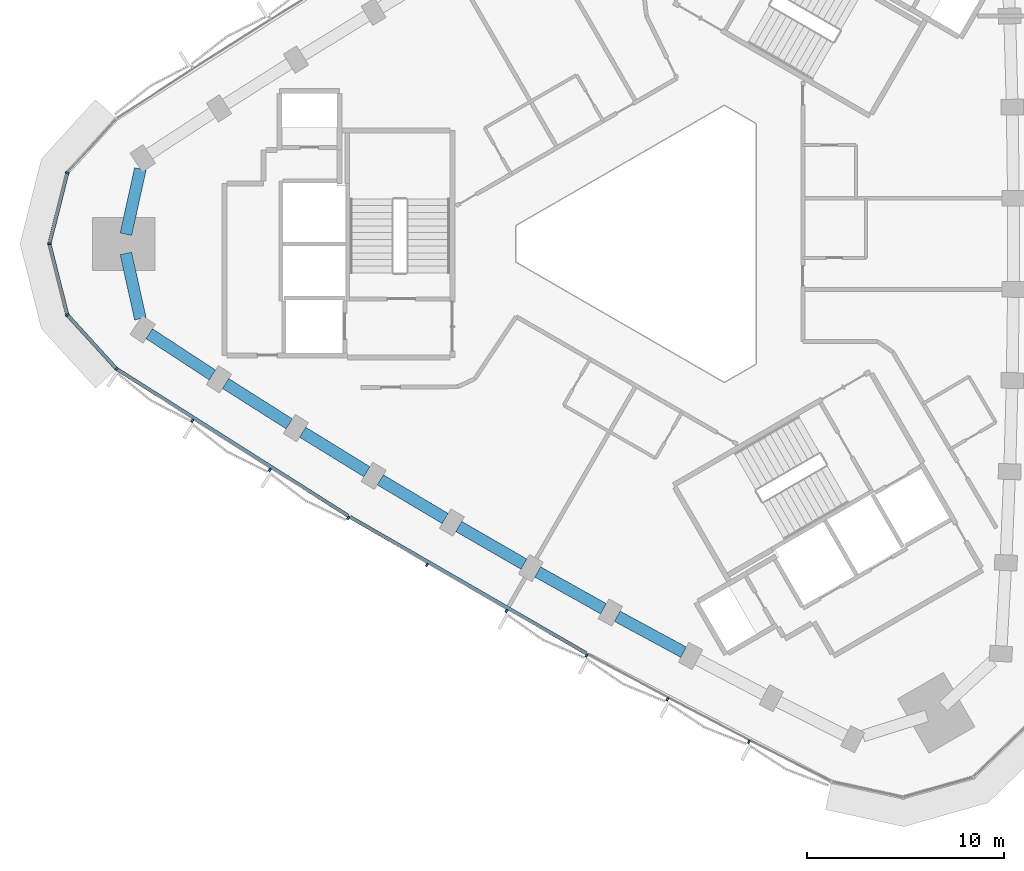
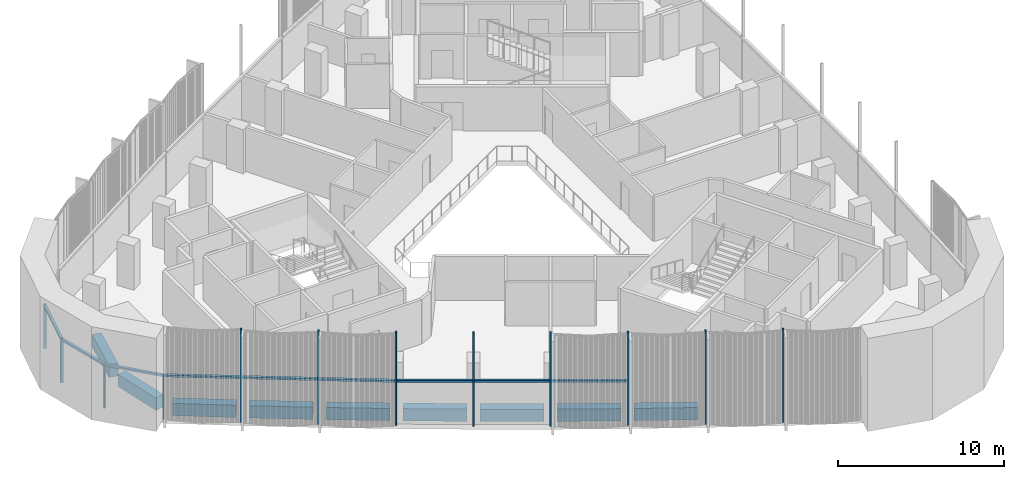
# One storey, part 2 of 13: 17 members, 9 beams, 2 elements without a shape of their own.
"""IFC4 building model written with IfcOpenShell, lengths in metres."""

from ifc_helpers import new_model, si_unit, direction, frame, origin, origin_2d, place, context, subcontext, project, spatial, rectangle, extrude, material, material_profile, profile_set, type_object, element, aggregate, save


model = new_model("IFC4")

# Units and contexts
model_context = context("Model", 3, precision=1e-05, world=origin(), true_north=direction((0.0, 1.0)))
body_context = subcontext(model_context, "Body", "Model", "MODEL_VIEW")
ifc_project = project(units=[si_unit("LENGTHUNIT", "METRE"), si_unit("AREAUNIT", "SQUARE_METRE"), si_unit("VOLUMEUNIT", "CUBIC_METRE"), si_unit("PLANEANGLEUNIT", "RADIAN"), si_unit("MASSUNIT", "GRAM", prefix="KILO")], contexts=[model_context])

# Site, building, storey
site_placement = place(None, origin())
site = spatial("IfcSite", under=ifc_project, at=site_placement, CompositionType="ELEMENT")
building_placement = place(site_placement, origin())
building = spatial("IfcBuilding", under=site, at=building_placement, Name="Tamra Quay Hotel Tower", CompositionType="ELEMENT")
storey_placement = place(building_placement, frame((0.0, 0.0, 186.39990234375)))
storey = spatial("IfcBuildingStorey", under=building, at=storey_placement, Name="L46", CompositionType="ELEMENT", Elevation=186.39990234375)

# Curtain wall, members
ifc_material_1 = material(Name="Aluminium 6063 anodised dark grey", Category="aluminium")
curtain_wall_type_1 = type_object("IfcCurtainWallType", Name="CW2 CURTAIN WALL", PredefinedType="NOTDEFINED", material=ifc_material_1)
curtain_wall_1_placement = place(storey_placement, origin())
curtain_wall_1 = element("IfcCurtainWall", 1, at=curtain_wall_1_placement, inside=storey, type_object=curtain_wall_type_1, Name="CW2 north-west face L46", PredefinedType="NOTDEFINED")
ifc_material_profile_1 = material_profile(ifc_material_1, rectangle(XDim=0.179931640625, YDim=0.10009765625, at=origin_2d()), Name="MULLION 100X180")
ifc_profile_set_1 = profile_set([ifc_material_profile_1], Name="Aluminium 6063 anodised dark grey")
member_type_1 = type_object("IfcMemberType", Name="MULLION CW2 Z4", PredefinedType="MULLION", material=ifc_profile_set_1)
member_1_placement = place(storey_placement, frame((-30.436767578125, 3.611328125, 0.0), z_axis=(0.0, 0.0, 1.0), x_axis=(-0.881097509676, 0.472934645002, 0.0)))
member_1 = element("IfcMember", 2, at=member_1_placement, type_object=member_type_1, Name="CW2 mullion L46.NW.11", PredefinedType="MULLION", context=body_context, shape_type="SweptSolid", body=[
    extrude(rectangle(XDim=0.179931640625, YDim=0.10009765625, at=origin_2d()), origin(), (0.0, 0.0, 1.0), 3.25),
])
member_2_placement = place(storey_placement, frame((-31.3447265625, 0.0, 0.0), z_axis=(0.0, 0.0, 1.0), x_axis=(-1.0, 0.0, 0.0)))
member_2 = element("IfcMember", 3, at=member_2_placement, type_object=member_type_1, Name="CW2 mullion L46.NW.12", PredefinedType="MULLION", context=body_context, shape_type="SweptSolid", body=[
    extrude(rectangle(XDim=0.179931640625, YDim=0.10009765625, at=origin_2d()), origin(), (0.0, 0.0, 1.0), 3.25),
])
member_3_placement = place(storey_placement, frame((-30.436767578125, -3.611328125, 0.0), z_axis=(0.0, 0.0, 1.0), x_axis=(-0.881097509676, -0.472934645002, 0.0)))
member_3 = element("IfcMember", 4, at=member_3_placement, type_object=member_type_1, Name="CW2 mullion L46.NW.13", PredefinedType="MULLION", context=body_context, shape_type="SweptSolid", body=[
    extrude(rectangle(XDim=0.179931640625, YDim=0.10009765625, at=origin_2d()), origin(), (0.0, 0.0, 1.0), 3.25),
])

curtain_wall_type_2 = type_object("IfcCurtainWallType", Name="CW3 CURTAIN WALL", PredefinedType="NOTDEFINED", material=ifc_material_1)
curtain_wall_2_placement = place(storey_placement, origin())
curtain_wall_2 = element("IfcCurtainWall", 5, at=curtain_wall_2_placement, inside=storey, type_object=curtain_wall_type_2, Name="CW3 south-west face L46", PredefinedType="NOTDEFINED")
ifc_material_profile_2 = material_profile(ifc_material_1, rectangle(XDim=0.179931640625, YDim=0.10009765625, at=origin_2d()), Name="MULLION 100X180")
ifc_profile_set_2 = profile_set([ifc_material_profile_2], Name="Aluminium 6063 anodised dark grey")
member_type_2 = type_object("IfcMemberType", Name="MULLION CW3 Z4", PredefinedType="MULLION", material=ifc_profile_set_2)
member_4_placement = place(storey_placement, frame((-27.928955078125, -6.36376953125, 0.0), z_axis=(0.0, 0.0, 1.0), x_axis=(-0.648381091282, -0.76131593998, 0.0)))
member_4 = element("IfcMember", 6, at=member_4_placement, type_object=member_type_2, Name="CW3 mullion L46.SW.1", PredefinedType="MULLION", context=body_context, shape_type="SweptSolid", body=[
    extrude(rectangle(XDim=0.179931640625, YDim=0.10009765625, at=origin_2d()), origin(), (0.0, 0.0, 1.0), 3.25),
])
member_5_placement = place(storey_placement, frame((-24.068603515625, -8.9951171875, 0.0), z_axis=(0.0, 0.0, 1.0), x_axis=(-0.541421307524, -0.840751430423, 0.0)))
member_5 = element("IfcMember", 7, at=member_5_placement, type_object=member_type_2, Name="CW3 mullion L46.SW.2", PredefinedType="MULLION", context=body_context, shape_type="SweptSolid", body=[
    extrude(rectangle(XDim=0.179931640625, YDim=0.10009765625, at=origin_2d()), origin(), (0.0, 0.0, 1.0), 6.85009765625),
])
member_6_placement = place(storey_placement, frame((-20.12255859375, -11.497802734375, 0.0), z_axis=(0.0, 0.0, 1.0), x_axis=(-0.529730620783, -0.848165944497, 0.0)))
member_6 = element("IfcMember", 8, at=member_6_placement, type_object=member_type_2, Name="CW3 mullion L46.SW.3", PredefinedType="MULLION", context=body_context, shape_type="SweptSolid", body=[
    extrude(rectangle(XDim=0.179931640625, YDim=0.10009765625, at=origin_2d()), origin(), (0.0, 0.0, 1.0), 6.85009765625),
])
member_7_placement = place(storey_placement, frame((-16.143798828125, -13.94482421875, 0.0), z_axis=(0.0, 0.0, 1.0), x_axis=(-0.517922719325, -0.85542741177, 0.0)))
member_7 = element("IfcMember", 9, at=member_7_placement, type_object=member_type_2, Name="CW3 mullion L46.SW.4", PredefinedType="MULLION", context=body_context, shape_type="SweptSolid", body=[
    extrude(rectangle(XDim=0.179931640625, YDim=0.10009765625, at=origin_2d()), origin(), (0.0, 0.0, 1.0), 6.85009765625),
])
member_8_placement = place(storey_placement, frame((-12.1298828125, -16.3369140625, 0.0), z_axis=(0.0, 0.0, 1.0), x_axis=(-0.506001107293, -0.862532828023, 0.0)))
member_8 = element("IfcMember", 10, at=member_8_placement, type_object=member_type_2, Name="CW3 mullion L46.SW.5", PredefinedType="MULLION", context=body_context, shape_type="SweptSolid", body=[
    extrude(rectangle(XDim=0.179931640625, YDim=0.10009765625, at=origin_2d()), origin(), (0.0, 0.0, 1.0), 6.85009765625),
])
member_9_placement = place(storey_placement, frame((-8.083251953125, -18.67333984375, 0.0), z_axis=(0.0, 0.0, 1.0), x_axis=(-0.49397478702, -0.869476227271, 0.0)))
member_9 = element("IfcMember", 11, at=member_9_placement, type_object=member_type_2, Name="CW3 mullion L46.SW.6", PredefinedType="MULLION", context=body_context, shape_type="SweptSolid", body=[
    extrude(rectangle(XDim=0.179931640625, YDim=0.10009765625, at=origin_2d()), origin(), (0.0, 0.0, 1.0), 6.85009765625),
])
member_10_placement = place(storey_placement, frame((-4.004638671875, -20.953369140625, 0.0), z_axis=(0.0, 0.0, 1.0), x_axis=(-0.481860510023, -0.876247938017, 0.0)))
member_10 = element("IfcMember", 12, at=member_10_placement, type_object=member_type_2, Name="CW3 mullion L46.SW.7", PredefinedType="MULLION", context=body_context, shape_type="SweptSolid", body=[
    extrude(rectangle(XDim=0.179931640625, YDim=0.10009765625, at=origin_2d()), origin(), (0.0, 0.0, 1.0), 6.85009765625),
])
member_11_placement = place(storey_placement, frame((0.10400390625, -23.175537109375, 0.0), z_axis=(0.0, 0.0, 1.0), x_axis=(-0.469667944168, -0.882843147009, 0.0)))
member_11 = element("IfcMember", 13, at=member_11_placement, type_object=member_type_2, Name="CW3 mullion L46.SW.8", PredefinedType="MULLION", context=body_context, shape_type="SweptSolid", body=[
    extrude(rectangle(XDim=0.179931640625, YDim=0.10009765625, at=origin_2d()), origin(), (0.0, 0.0, 1.0), 6.85009765625),
])
member_12_placement = place(storey_placement, frame((4.244140625, -25.341552734375, 0.0), z_axis=(0.0, 0.0, 1.0), x_axis=(-0.457401443253, -0.889260321678, 0.0)))
member_12 = element("IfcMember", 14, at=member_12_placement, type_object=member_type_2, Name="CW3 mullion L46.SW.9", PredefinedType="MULLION", context=body_context, shape_type="SweptSolid", body=[
    extrude(rectangle(XDim=0.179931640625, YDim=0.10009765625, at=origin_2d()), origin(), (0.0, 0.0, 1.0), 6.85009765625),
])

# Beams
ifc_material_2 = material(Name="Concrete M60", Category="concrete")
ifc_material_profile_3 = material_profile(ifc_material_2, rectangle(XDim=0.60009765625, YDim=0.89990234375, at=origin_2d()), Name="SPANDREL BEAM RC 600x900")
ifc_profile_set_3 = profile_set([ifc_material_profile_3], Name="Concrete M60")
beam_type = type_object("IfcBeamType", Name="SPANDREL BEAM RC 600x900", PredefinedType="SPANDREL", material=ifc_profile_set_3)
for number, where, z_axis, x_axis, name in (
    (15, (-26.716552734375, 3.811767578125, -0.7998046875), (-0.215798858353, -0.976437838643, 0.0), (0.976437838643, -0.215798858353, 0.0), "BM-SP4-020-L46"),
    (16, (-27.451171875, -0.48779296875, -0.7998046875), (0.215798858353, -0.976437838643, 0.0), (0.976437838643, 0.215798858353, 0.0), "BM-SP4-021-L46"),
):
    element("IfcBeam", number, at=place(storey_placement, frame(where, z_axis=z_axis, x_axis=x_axis)), inside=storey, type_object=beam_type, Name=name, PredefinedType="SPANDREL", context=body_context, shape_type="SweptSolid", body=[
        extrude(rectangle(XDim=0.60009765625, YDim=0.89990234375, at=origin_2d()), origin(), (0.0, 0.0, 1.0), 3.404296875),
    ])
for number, where, z_axis, x_axis, name in (
    (17, (-26.26171875, -4.573486328125, -0.7998046875), (0.836969613974, -0.547249362983, 0.0), (0.547249362983, 0.836969613974, 0.0), "BM-SP4-022-L46"),
    (18, (-22.377197265625, -7.106689453125, -0.7998046875), (0.844469978785, -0.535602889211, 0.0), (0.535602889211, 0.844469978785, 0.0), "BM-SP4-023-L46"),
):
    element("IfcBeam", number, at=place(storey_placement, frame(where, z_axis=z_axis, x_axis=x_axis)), inside=storey, type_object=beam_type, Name=name, PredefinedType="SPANDREL", context=body_context, shape_type="SweptSolid", body=[
        extrude(rectangle(XDim=0.60009765625, YDim=0.89990234375, at=origin_2d()), origin(), (0.0, 0.0, 1.0), 3.837646484375),
    ])
beam_1_placement = place(storey_placement, frame((-18.4580078125, -9.585693359375, -0.7998046875), z_axis=(0.851817714835, -0.523838315411, 0.0), x_axis=(0.523838315411, 0.851817714835, 0.0)))
element("IfcBeam", 19, at=beam_1_placement, inside=storey, type_object=beam_type, Name="BM-SP4-024-L46", PredefinedType="SPANDREL", context=body_context, shape_type="SweptSolid", body=[
    extrude(rectangle(XDim=0.60009765625, YDim=0.89990234375, at=origin_2d()), origin(), (0.0, 0.0, 1.0), 3.837890625),
])
beam_2_placement = place(storey_placement, frame((-14.50439453125, -12.010498046875, -0.7998046875), z_axis=(0.858982487636, -0.512004966708, 0.0), x_axis=(0.512004966708, 0.858982487636, 0.0)))
element("IfcBeam", 20, at=beam_2_placement, inside=storey, type_object=beam_type, Name="BM-SP4-025-L46", PredefinedType="SPANDREL", context=body_context, shape_type="SweptSolid", body=[
    extrude(rectangle(XDim=0.60009765625, YDim=0.89990234375, at=origin_2d()), origin(), (0.0, 0.0, 1.0), 3.837646484375),
])
for number, where, z_axis, x_axis, name in (
    (21, (-10.517822265625, -14.380126953125, -0.7998046875), (0.866022424722, -0.500005159851, 0.0), (0.500005159851, 0.866022424722, 0.0), "BM-SP4-026-L46"),
    (22, (-6.4990234375, -16.694091796875, -0.7998046875), (0.872890885292, -0.487915466422, 0.0), (0.487915466422, 0.872890885292, 0.0), "BM-SP4-027-L46"),
):
    element("IfcBeam", number, at=place(storey_placement, frame(where, z_axis=z_axis, x_axis=x_axis)), inside=storey, type_object=beam_type, Name=name, PredefinedType="SPANDREL", context=body_context, shape_type="SweptSolid", body=[
        extrude(rectangle(XDim=0.60009765625, YDim=0.89990234375, at=origin_2d()), origin(), (0.0, 0.0, 1.0), 3.83740234375),
    ])
beam_3_placement = place(storey_placement, frame((-2.448486328125, -18.951904296875, -0.7998046875), z_axis=(0.879589264525, -0.475733881211, 0.0), x_axis=(0.475733881211, 0.879589264525, 0.0)))
element("IfcBeam", 23, at=beam_3_placement, inside=storey, type_object=beam_type, Name="BM-SP4-028-L46", PredefinedType="SPANDREL", context=body_context, shape_type="SweptSolid", body=[
    extrude(rectangle(XDim=0.60009765625, YDim=0.89990234375, at=origin_2d()), origin(), (0.0, 0.0, 1.0), 3.838134765625),
])

# Member
ifc_material_profile_4 = material_profile(ifc_material_1, rectangle(XDim=0.179931640625, YDim=0.139892578125, at=origin_2d()), Name="TRANSOM 180X140")
ifc_profile_set_4 = profile_set([ifc_material_profile_4], Name="Aluminium 6063 anodised dark grey")
member_type_3 = type_object("IfcMemberType", Name="TRANSOM CW2 Z4", PredefinedType="USERDEFINED", material=ifc_profile_set_4)
member_13_placement = place(storey_placement, frame((-30.448974609375, 3.562744140625, 3.18017578125), z_axis=(-0.243835376469, -0.969816636887, 0.0), x_axis=(0.969816636887, -0.243835376469, 0.0)))
member_13 = element("IfcMember", 24, at=member_13_placement, type_object=member_type_3, Name="CW2 transom L46.NW.11", ObjectType="TRANSOM", PredefinedType="USERDEFINED", context=body_context, shape_type="SweptSolid", body=[
    extrude(rectangle(XDim=0.179931640625, YDim=0.139892578125, at=origin_2d()), origin(), (0.0, 0.0, 1.0), 3.62353515625),
])

member_14_placement = place(storey_placement, frame((-31.33251953125, -0.048583984375, 3.18017578125), z_axis=(0.243835376469, -0.969816636887, 0.0), x_axis=(0.969816636887, 0.243835376469, 0.0)))
member_14 = element("IfcMember", 25, at=member_14_placement, type_object=member_type_3, Name="CW2 transom L46.NW.12", ObjectType="TRANSOM", PredefinedType="USERDEFINED", context=body_context, shape_type="SweptSolid", body=[
    extrude(rectangle(XDim=0.179931640625, YDim=0.139892578125, at=origin_2d()), origin(), (0.0, 0.0, 1.0), 3.62353515625),
])

member_15_placement = place(storey_placement, frame((-30.403076171875, -3.648193359375, 3.18017578125), z_axis=(0.673497359226, -0.739189628658, 0.0), x_axis=(0.739189628658, 0.673497359226, 0.0)))
member_15 = element("IfcMember", 26, at=member_15_placement, type_object=member_type_3, Name="CW2 transom L46.NW.13", ObjectType="TRANSOM", PredefinedType="USERDEFINED", context=body_context, shape_type="SweptSolid", body=[
    extrude(rectangle(XDim=0.179931640625, YDim=0.139892578125, at=origin_2d()), origin(), (0.0, 0.0, 1.0), 3.62353515625),
])

aggregate(curtain_wall_1, [member_1, member_13, member_2, member_14, member_3, member_15])

ifc_material_profile_5 = material_profile(ifc_material_1, rectangle(XDim=0.179931640625, YDim=0.139892578125, at=origin_2d()), Name="TRANSOM 180X140")
ifc_profile_set_5 = profile_set([ifc_material_profile_5], Name="Aluminium 6063 anodised dark grey")
member_type_4 = type_object("IfcMemberType", Name="TRANSOM CW3 Z4", PredefinedType="USERDEFINED", material=ifc_profile_set_5)
member_16_placement = place(storey_placement, frame((-27.88720703125, -6.39111328125, 3.18017578125), z_axis=(0.844483603588, -0.535581406764, 0.0), x_axis=(0.535581406764, 0.844483603588, 0.0)))
member_16 = element("IfcMember", 27, at=member_16_placement, type_object=member_type_4, Name="CW3 transom L46.SW.1", ObjectType="TRANSOM", PredefinedType="USERDEFINED", context=body_context, shape_type="SweptSolid", body=[
    extrude(rectangle(XDim=0.179931640625, YDim=0.139892578125, at=origin_2d()), origin(), (0.0, 0.0, 1.0), 13.910888671875),
])

member_17_placement = place(storey_placement, frame((-16.05419921875, -13.893310546875, 3.18017578125), z_axis=(0.866021948021, -0.50000598551, 0.0), x_axis=(0.50000598551, 0.866021948021, 0.0)))
member_17 = element("IfcMember", 28, at=member_17_placement, type_object=member_type_4, Name="CW3 transom L46.SW.4", ObjectType="TRANSOM", PredefinedType="USERDEFINED", context=body_context, shape_type="SweptSolid", body=[
    extrude(rectangle(XDim=0.179931640625, YDim=0.139892578125, at=origin_2d()), origin(), (0.0, 0.0, 1.0), 13.913330078125),
])

aggregate(curtain_wall_2, [member_4, member_16, member_5, member_6, member_7, member_17, member_8, member_9, member_10, member_11, member_12])

save(model, "model.ifc")
